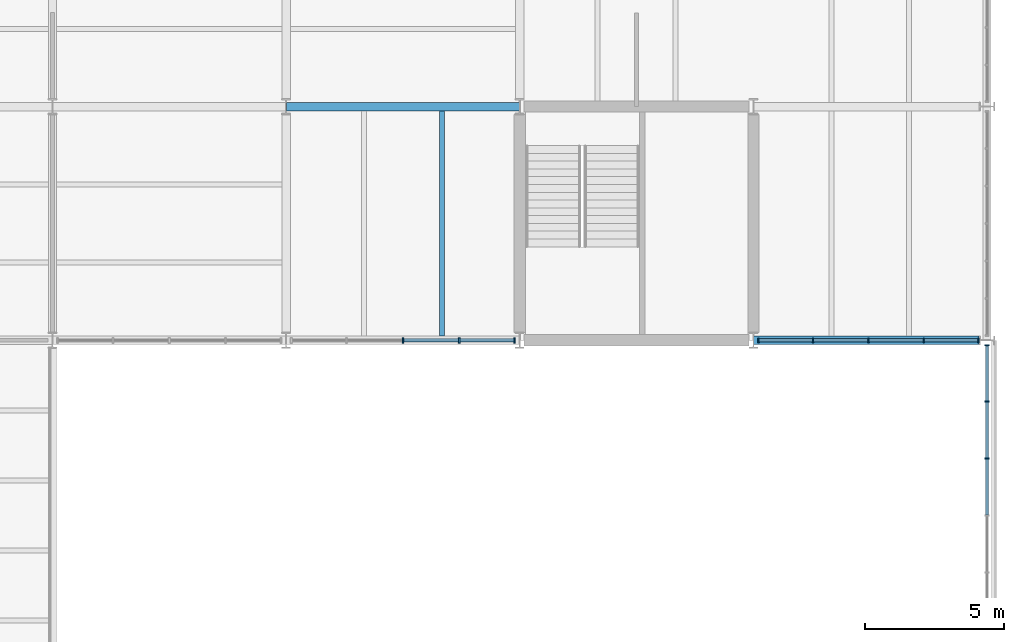
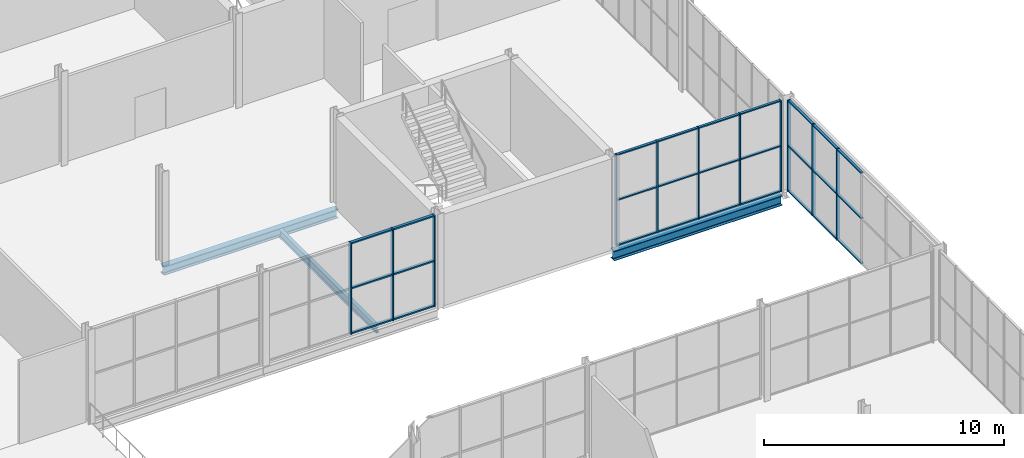
# One storey, part 27 of 61: 38 members, 3 beams, 3 elements without a shape of their own.
"""IFC4 building model written with IfcOpenShell, lengths in metres."""

from ifc_helpers import new_model, si_unit, direction, frame, origin, origin_2d, place, context, subcontext, project, spatial, rectangle, i_section, extrude, material, layer, layer_set, material_profile, profile_set, type_object, element, aggregate, save


model = new_model("IFC4")

# Units and contexts
model_context = context("Model", 3, precision=1e-05, world=origin(), true_north=direction((0.0, 1.0)))
body_context = subcontext(model_context, "Body", "Model", "MODEL_VIEW")
ifc_project = project(units=[si_unit("LENGTHUNIT", "METRE"), si_unit("AREAUNIT", "SQUARE_METRE"), si_unit("VOLUMEUNIT", "CUBIC_METRE"), si_unit("PLANEANGLEUNIT", "RADIAN"), si_unit("MASSUNIT", "GRAM", prefix="KILO")], contexts=[model_context])

# Site, building, storey
site_placement = place(None, origin())
site = spatial("IfcSite", under=ifc_project, at=site_placement, CompositionType="ELEMENT")
building_placement = place(site_placement, origin())
building = spatial("IfcBuilding", under=site, at=building_placement, Name="Galleria Vessillo Department Store", CompositionType="ELEMENT")
storey_placement = place(building_placement, frame((0.0, 0.0, 11.39990234375)))
storey = spatial("IfcBuildingStorey", under=building, at=storey_placement, Name="L02", CompositionType="ELEMENT", Elevation=11.39990234375)

# Curtain wall, members
ifc_material_1 = material(Name="Aluminium and glass curtain wall", Category="aluminium")
ifc_layer_1 = layer(ifc_material_1, 0.159912109375)
ifc_layer_set_1 = layer_set([ifc_layer_1], Name="Aluminium and glass curtain wall")
curtain_wall_type_1 = type_object("IfcCurtainWallType", Name="Arcade portal glazing CW2 2100 module", PredefinedType="NOTDEFINED", material=ifc_layer_set_1)
curtain_wall_1_placement = place(storey_placement, origin())
curtain_wall_1 = element("IfcCurtainWall", 1, at=curtain_wall_1_placement, inside=storey, type_object=curtain_wall_type_1, Name="Arcade portal glazing CW2 2100 module PW-E-N-L02-01", PredefinedType="NOTDEFINED")
ifc_material_2 = material(Name="Aluminium alloy 6063 T6", Category="aluminium")
ifc_material_profile_1 = material_profile(ifc_material_2, rectangle(XDim=0.159912109375, YDim=0.050048828125, at=origin_2d()), Name="AL 50x160")
ifc_profile_set_1 = profile_set([ifc_material_profile_1], Name="Aluminium alloy 6063 T6")
member_type_1 = type_object("IfcMemberType", Name="Aluminium mullion 50 x 160", PredefinedType="MULLION", material=ifc_profile_set_1)
member_1_placement = place(storey_placement, frame((109.3779296875, 37.800048828125, 0.0), z_axis=(0.0, 0.0, 1.0), x_axis=(0.0, 1.0, 0.0)))
member_1 = element("IfcMember", 2, at=member_1_placement, type_object=member_type_1, Name="CW2 mullion 1", PredefinedType="MULLION", context=body_context, shape_type="SweptSolid", body=[
    extrude(rectangle(XDim=0.159912109375, YDim=0.050048828125, at=origin_2d()), origin(), (0.0, 0.0, 1.0), 4.650146484375),
])
member_2_placement = place(storey_placement, frame((111.34326171875, 37.800048828125, 0.0), z_axis=(0.0, 0.0, 1.0), x_axis=(0.0, 1.0, 0.0)))
member_2 = element("IfcMember", 3, at=member_2_placement, type_object=member_type_1, Name="CW2 mullion 2", PredefinedType="MULLION", context=body_context, shape_type="SweptSolid", body=[
    extrude(rectangle(XDim=0.159912109375, YDim=0.050048828125, at=origin_2d()), origin(), (0.0, 0.0, 1.0), 4.650146484375),
])
member_3_placement = place(storey_placement, frame((113.33349609375, 37.800048828125, 0.0), z_axis=(0.0, 0.0, 1.0), x_axis=(0.0, 1.0, 0.0)))
member_3 = element("IfcMember", 4, at=member_3_placement, type_object=member_type_1, Name="CW2 mullion 3", PredefinedType="MULLION", context=body_context, shape_type="SweptSolid", body=[
    extrude(rectangle(XDim=0.159912109375, YDim=0.050048828125, at=origin_2d()), origin(), (0.0, 0.0, 1.0), 4.650146484375),
])
member_4_placement = place(storey_placement, frame((115.323974609375, 37.800048828125, 0.0), z_axis=(0.0, 0.0, 1.0), x_axis=(0.0, 1.0, 0.0)))
member_4 = element("IfcMember", 5, at=member_4_placement, type_object=member_type_1, Name="CW2 mullion 4", PredefinedType="MULLION", context=body_context, shape_type="SweptSolid", body=[
    extrude(rectangle(XDim=0.159912109375, YDim=0.050048828125, at=origin_2d()), origin(), (0.0, 0.0, 1.0), 4.650146484375),
])
member_5_placement = place(storey_placement, frame((117.289306640625, 37.800048828125, 0.0), z_axis=(0.0, 0.0, 1.0), x_axis=(0.0, 1.0, 0.0)))
member_5 = element("IfcMember", 6, at=member_5_placement, type_object=member_type_1, Name="CW2 mullion 5", PredefinedType="MULLION", context=body_context, shape_type="SweptSolid", body=[
    extrude(rectangle(XDim=0.159912109375, YDim=0.050048828125, at=origin_2d()), origin(), (0.0, 0.0, 1.0), 4.650146484375),
])

curtain_wall_2_placement = place(storey_placement, origin())
curtain_wall_2 = element("IfcCurtainWall", 7, at=curtain_wall_2_placement, inside=storey, type_object=curtain_wall_type_1, Name="Arcade portal glazing CW2 2100 module SCR-E-L02-01", PredefinedType="NOTDEFINED")
member_6_placement = place(storey_placement, frame((117.60009765625, 33.548828125, 0.0), z_axis=(0.0, 0.0, 1.0), x_axis=(-1.0, 0.0, 0.0)))
member_6 = element("IfcMember", 8, at=member_6_placement, type_object=member_type_1, Name="CW2 mullion 5", PredefinedType="MULLION", context=body_context, shape_type="SweptSolid", body=[
    extrude(rectangle(XDim=0.159912109375, YDim=0.050048828125, at=origin_2d()), origin(), (0.0, 0.0, 1.0), 4.650146484375),
])
member_7_placement = place(storey_placement, frame((117.60009765625, 35.597900390625, 0.0), z_axis=(0.0, 0.0, 1.0), x_axis=(-1.0, 0.0, 0.0)))
member_7 = element("IfcMember", 9, at=member_7_placement, type_object=member_type_1, Name="CW2 mullion 6", PredefinedType="MULLION", context=body_context, shape_type="SweptSolid", body=[
    extrude(rectangle(XDim=0.159912109375, YDim=0.050048828125, at=origin_2d()), origin(), (0.0, 0.0, 1.0), 4.650146484375),
])
member_8_placement = place(storey_placement, frame((117.60009765625, 37.6220703125, 0.0), z_axis=(0.0, 0.0, 1.0), x_axis=(-1.0, 0.0, 0.0)))
member_8 = element("IfcMember", 10, at=member_8_placement, type_object=member_type_1, Name="CW2 mullion 7", PredefinedType="MULLION", context=body_context, shape_type="SweptSolid", body=[
    extrude(rectangle(XDim=0.159912109375, YDim=0.050048828125, at=origin_2d()), origin(), (0.0, 0.0, 1.0), 4.650146484375),
])

ifc_material_3 = material(Name="Aluminium and glass curtain wall", Category="aluminium")
ifc_layer_2 = layer(ifc_material_3, 0.199951171875)
ifc_layer_set_2 = layer_set([ifc_layer_2], Name="Aluminium and glass curtain wall")
curtain_wall_type_2 = type_object("IfcCurtainWallType", Name="Arcade curtain wall CW1 2100 module", PredefinedType="NOTDEFINED", material=ifc_layer_set_2)
curtain_wall_3_placement = place(storey_placement, origin())
curtain_wall_3 = element("IfcCurtainWall", 11, at=curtain_wall_3_placement, inside=storey, type_object=curtain_wall_type_2, Name="Arcade curtain wall CW1 2100 module AI-AE-N-L02-02", PredefinedType="NOTDEFINED")
ifc_material_4 = material(Name="Aluminium alloy 6063 T6", Category="aluminium")
ifc_material_profile_2 = material_profile(ifc_material_4, rectangle(XDim=0.199951171875, YDim=0.06005859375, at=origin_2d()), Name="AL 60x200")
ifc_profile_set_2 = profile_set([ifc_material_profile_2], Name="Aluminium alloy 6063 T6")
member_type_2 = type_object("IfcMemberType", Name="Aluminium mullion 60 x 200", PredefinedType="MULLION", material=ifc_profile_set_2)
member_9_placement = place(storey_placement, frame((96.60009765625, 37.800048828125, 0.0), z_axis=(0.0, 0.0, 1.0), x_axis=(0.0, 1.0, 0.0)))
member_9 = element("IfcMember", 12, at=member_9_placement, type_object=member_type_2, Name="CW1 mullion 3", PredefinedType="MULLION", context=body_context, shape_type="SweptSolid", body=[
    extrude(rectangle(XDim=0.199951171875, YDim=0.06005859375, at=origin_2d()), origin(), (0.0, 0.0, 1.0), 4.650146484375),
])
member_10_placement = place(storey_placement, frame((98.62353515625, 37.800048828125, 0.0), z_axis=(0.0, 0.0, 1.0), x_axis=(0.0, 1.0, 0.0)))
member_10 = element("IfcMember", 13, at=member_10_placement, type_object=member_type_2, Name="CW1 mullion 4", PredefinedType="MULLION", context=body_context, shape_type="SweptSolid", body=[
    extrude(rectangle(XDim=0.199951171875, YDim=0.06005859375, at=origin_2d()), origin(), (0.0, 0.0, 1.0), 4.650146484375),
])
member_11_placement = place(storey_placement, frame((100.616943359375, 37.800048828125, 0.0), z_axis=(0.0, 0.0, 1.0), x_axis=(0.0, 1.0, 0.0)))
member_11 = element("IfcMember", 14, at=member_11_placement, type_object=member_type_2, Name="CW1 mullion 5", PredefinedType="MULLION", context=body_context, shape_type="SweptSolid", body=[
    extrude(rectangle(XDim=0.199951171875, YDim=0.06005859375, at=origin_2d()), origin(), (0.0, 0.0, 1.0), 4.650146484375),
])

# Member
ifc_material_5 = material(Name="Aluminium alloy 6063 T6", Category="aluminium")
ifc_material_profile_3 = material_profile(ifc_material_5, rectangle(XDim=0.1201171875, YDim=0.06005859375, at=origin_2d()), Name="AL 60x120")
ifc_profile_set_3 = profile_set([ifc_material_profile_3], Name="Aluminium alloy 6063 T6")
member_type_3 = type_object("IfcMemberType", Name="Aluminium transom 60 x 120", PredefinedType="USERDEFINED", material=ifc_profile_set_3)
member_12_placement = place(storey_placement, frame((109.403076171875, 37.800048828125, 0.030029296875), z_axis=(1.0, 0.0, 0.0), x_axis=(0.0, 1.0, 0.0)))
member_12 = element("IfcMember", 15, at=member_12_placement, type_object=member_type_3, Name="CW2 transom 1.1", ObjectType="TRANSOM", PredefinedType="USERDEFINED", context=body_context, shape_type="SweptSolid", body=[
    extrude(rectangle(XDim=0.1201171875, YDim=0.06005859375, at=origin_2d()), origin(), (0.0, 0.0, 1.0), 1.915283203125),
])

member_13_placement = place(storey_placement, frame((109.403076171875, 37.800048828125, 2.3251953125), z_axis=(1.0, 0.0, 0.0), x_axis=(0.0, 1.0, 0.0)))
member_13 = element("IfcMember", 16, at=member_13_placement, type_object=member_type_3, Name="CW2 transom 1.2", ObjectType="TRANSOM", PredefinedType="USERDEFINED", context=body_context, shape_type="SweptSolid", body=[
    extrude(rectangle(XDim=0.1201171875, YDim=0.06005859375, at=origin_2d()), origin(), (0.0, 0.0, 1.0), 1.915283203125),
])

member_14_placement = place(storey_placement, frame((109.403076171875, 37.800048828125, 4.6201171875), z_axis=(1.0, 0.0, 0.0), x_axis=(0.0, 1.0, 0.0)))
member_14 = element("IfcMember", 17, at=member_14_placement, type_object=member_type_3, Name="CW2 transom 1.3", ObjectType="TRANSOM", PredefinedType="USERDEFINED", context=body_context, shape_type="SweptSolid", body=[
    extrude(rectangle(XDim=0.1201171875, YDim=0.06005859375, at=origin_2d()), origin(), (0.0, 0.0, 1.0), 1.915283203125),
])

member_15_placement = place(storey_placement, frame((111.368408203125, 37.800048828125, 0.030029296875), z_axis=(1.0, 0.0, 0.0), x_axis=(0.0, 1.0, 0.0)))
member_15 = element("IfcMember", 18, at=member_15_placement, type_object=member_type_3, Name="CW2 transom 2.1", ObjectType="TRANSOM", PredefinedType="USERDEFINED", context=body_context, shape_type="SweptSolid", body=[
    extrude(rectangle(XDim=0.1201171875, YDim=0.06005859375, at=origin_2d()), origin(), (0.0, 0.0, 1.0), 1.940185546875),
])

member_16_placement = place(storey_placement, frame((111.368408203125, 37.800048828125, 2.3251953125), z_axis=(1.0, 0.0, 0.0), x_axis=(0.0, 1.0, 0.0)))
member_16 = element("IfcMember", 19, at=member_16_placement, type_object=member_type_3, Name="CW2 transom 2.2", ObjectType="TRANSOM", PredefinedType="USERDEFINED", context=body_context, shape_type="SweptSolid", body=[
    extrude(rectangle(XDim=0.1201171875, YDim=0.06005859375, at=origin_2d()), origin(), (0.0, 0.0, 1.0), 1.940185546875),
])

member_17_placement = place(storey_placement, frame((111.368408203125, 37.800048828125, 4.6201171875), z_axis=(1.0, 0.0, 0.0), x_axis=(0.0, 1.0, 0.0)))
member_17 = element("IfcMember", 20, at=member_17_placement, type_object=member_type_3, Name="CW2 transom 2.3", ObjectType="TRANSOM", PredefinedType="USERDEFINED", context=body_context, shape_type="SweptSolid", body=[
    extrude(rectangle(XDim=0.1201171875, YDim=0.06005859375, at=origin_2d()), origin(), (0.0, 0.0, 1.0), 1.940185546875),
])

member_18_placement = place(storey_placement, frame((113.358642578125, 37.800048828125, 0.030029296875), z_axis=(1.0, 0.0, 0.0), x_axis=(0.0, 1.0, 0.0)))
member_18 = element("IfcMember", 21, at=member_18_placement, type_object=member_type_3, Name="CW2 transom 3.1", ObjectType="TRANSOM", PredefinedType="USERDEFINED", context=body_context, shape_type="SweptSolid", body=[
    extrude(rectangle(XDim=0.1201171875, YDim=0.06005859375, at=origin_2d()), origin(), (0.0, 0.0, 1.0), 1.940185546875),
])

member_19_placement = place(storey_placement, frame((113.358642578125, 37.800048828125, 2.3251953125), z_axis=(1.0, 0.0, 0.0), x_axis=(0.0, 1.0, 0.0)))
member_19 = element("IfcMember", 22, at=member_19_placement, type_object=member_type_3, Name="CW2 transom 3.2", ObjectType="TRANSOM", PredefinedType="USERDEFINED", context=body_context, shape_type="SweptSolid", body=[
    extrude(rectangle(XDim=0.1201171875, YDim=0.06005859375, at=origin_2d()), origin(), (0.0, 0.0, 1.0), 1.940185546875),
])

member_20_placement = place(storey_placement, frame((113.358642578125, 37.800048828125, 4.6201171875), z_axis=(1.0, 0.0, 0.0), x_axis=(0.0, 1.0, 0.0)))
member_20 = element("IfcMember", 23, at=member_20_placement, type_object=member_type_3, Name="CW2 transom 3.3", ObjectType="TRANSOM", PredefinedType="USERDEFINED", context=body_context, shape_type="SweptSolid", body=[
    extrude(rectangle(XDim=0.1201171875, YDim=0.06005859375, at=origin_2d()), origin(), (0.0, 0.0, 1.0), 1.940185546875),
])

member_21_placement = place(storey_placement, frame((115.348876953125, 37.800048828125, 0.030029296875), z_axis=(1.0, 0.0, 0.0), x_axis=(0.0, 1.0, 0.0)))
member_21 = element("IfcMember", 24, at=member_21_placement, type_object=member_type_3, Name="CW2 transom 4.1", ObjectType="TRANSOM", PredefinedType="USERDEFINED", context=body_context, shape_type="SweptSolid", body=[
    extrude(rectangle(XDim=0.1201171875, YDim=0.06005859375, at=origin_2d()), origin(), (0.0, 0.0, 1.0), 1.915283203125),
])

member_22_placement = place(storey_placement, frame((115.348876953125, 37.800048828125, 2.3251953125), z_axis=(1.0, 0.0, 0.0), x_axis=(0.0, 1.0, 0.0)))
member_22 = element("IfcMember", 25, at=member_22_placement, type_object=member_type_3, Name="CW2 transom 4.2", ObjectType="TRANSOM", PredefinedType="USERDEFINED", context=body_context, shape_type="SweptSolid", body=[
    extrude(rectangle(XDim=0.1201171875, YDim=0.06005859375, at=origin_2d()), origin(), (0.0, 0.0, 1.0), 1.915283203125),
])

member_23_placement = place(storey_placement, frame((115.348876953125, 37.800048828125, 4.6201171875), z_axis=(1.0, 0.0, 0.0), x_axis=(0.0, 1.0, 0.0)))
member_23 = element("IfcMember", 26, at=member_23_placement, type_object=member_type_3, Name="CW2 transom 4.3", ObjectType="TRANSOM", PredefinedType="USERDEFINED", context=body_context, shape_type="SweptSolid", body=[
    extrude(rectangle(XDim=0.1201171875, YDim=0.06005859375, at=origin_2d()), origin(), (0.0, 0.0, 1.0), 1.915283203125),
])

aggregate(curtain_wall_1, [member_1, member_2, member_3, member_4, member_5, member_12, member_13, member_14, member_15, member_16, member_17, member_18, member_19, member_20, member_21, member_22, member_23])

member_24_placement = place(storey_placement, frame((117.60009765625, 31.524658203125, 0.030029296875), z_axis=(0.0, 1.0, 0.0), x_axis=(-1.0, 0.0, 0.0)))
member_24 = element("IfcMember", 27, at=member_24_placement, type_object=member_type_3, Name="CW2 transom 4.1", ObjectType="TRANSOM", PredefinedType="USERDEFINED", context=body_context, shape_type="SweptSolid", body=[
    extrude(rectangle(XDim=0.1201171875, YDim=0.06005859375, at=origin_2d()), origin(), (0.0, 0.0, 1.0), 1.999267578125),
])

member_25_placement = place(storey_placement, frame((117.60009765625, 31.524658203125, 2.3251953125), z_axis=(0.0, 1.0, 0.0), x_axis=(-1.0, 0.0, 0.0)))
member_25 = element("IfcMember", 28, at=member_25_placement, type_object=member_type_3, Name="CW2 transom 4.2", ObjectType="TRANSOM", PredefinedType="USERDEFINED", context=body_context, shape_type="SweptSolid", body=[
    extrude(rectangle(XDim=0.1201171875, YDim=0.06005859375, at=origin_2d()), origin(), (0.0, 0.0, 1.0), 1.999267578125),
])

member_26_placement = place(storey_placement, frame((117.60009765625, 31.524658203125, 4.6201171875), z_axis=(0.0, 1.0, 0.0), x_axis=(-1.0, 0.0, 0.0)))
member_26 = element("IfcMember", 29, at=member_26_placement, type_object=member_type_3, Name="CW2 transom 4.3", ObjectType="TRANSOM", PredefinedType="USERDEFINED", context=body_context, shape_type="SweptSolid", body=[
    extrude(rectangle(XDim=0.1201171875, YDim=0.06005859375, at=origin_2d()), origin(), (0.0, 0.0, 1.0), 1.999267578125),
])

member_27_placement = place(storey_placement, frame((117.60009765625, 33.57373046875, 0.030029296875), z_axis=(0.0, 1.0, 0.0), x_axis=(-1.0, 0.0, 0.0)))
member_27 = element("IfcMember", 30, at=member_27_placement, type_object=member_type_3, Name="CW2 transom 5.1", ObjectType="TRANSOM", PredefinedType="USERDEFINED", context=body_context, shape_type="SweptSolid", body=[
    extrude(rectangle(XDim=0.1201171875, YDim=0.06005859375, at=origin_2d()), origin(), (0.0, 0.0, 1.0), 1.999267578125),
])

member_28_placement = place(storey_placement, frame((117.60009765625, 33.57373046875, 2.3251953125), z_axis=(0.0, 1.0, 0.0), x_axis=(-1.0, 0.0, 0.0)))
member_28 = element("IfcMember", 31, at=member_28_placement, type_object=member_type_3, Name="CW2 transom 5.2", ObjectType="TRANSOM", PredefinedType="USERDEFINED", context=body_context, shape_type="SweptSolid", body=[
    extrude(rectangle(XDim=0.1201171875, YDim=0.06005859375, at=origin_2d()), origin(), (0.0, 0.0, 1.0), 1.999267578125),
])

member_29_placement = place(storey_placement, frame((117.60009765625, 33.57373046875, 4.6201171875), z_axis=(0.0, 1.0, 0.0), x_axis=(-1.0, 0.0, 0.0)))
member_29 = element("IfcMember", 32, at=member_29_placement, type_object=member_type_3, Name="CW2 transom 5.3", ObjectType="TRANSOM", PredefinedType="USERDEFINED", context=body_context, shape_type="SweptSolid", body=[
    extrude(rectangle(XDim=0.1201171875, YDim=0.06005859375, at=origin_2d()), origin(), (0.0, 0.0, 1.0), 1.999267578125),
])

member_30_placement = place(storey_placement, frame((117.60009765625, 35.622802734375, 0.030029296875), z_axis=(0.0, 1.0, 0.0), x_axis=(-1.0, 0.0, 0.0)))
member_30 = element("IfcMember", 33, at=member_30_placement, type_object=member_type_3, Name="CW2 transom 6.1", ObjectType="TRANSOM", PredefinedType="USERDEFINED", context=body_context, shape_type="SweptSolid", body=[
    extrude(rectangle(XDim=0.1201171875, YDim=0.06005859375, at=origin_2d()), origin(), (0.0, 0.0, 1.0), 1.97412109375),
])

member_31_placement = place(storey_placement, frame((117.60009765625, 35.622802734375, 2.3251953125), z_axis=(0.0, 1.0, 0.0), x_axis=(-1.0, 0.0, 0.0)))
member_31 = element("IfcMember", 34, at=member_31_placement, type_object=member_type_3, Name="CW2 transom 6.2", ObjectType="TRANSOM", PredefinedType="USERDEFINED", context=body_context, shape_type="SweptSolid", body=[
    extrude(rectangle(XDim=0.1201171875, YDim=0.06005859375, at=origin_2d()), origin(), (0.0, 0.0, 1.0), 1.97412109375),
])

member_32_placement = place(storey_placement, frame((117.60009765625, 35.622802734375, 4.6201171875), z_axis=(0.0, 1.0, 0.0), x_axis=(-1.0, 0.0, 0.0)))
member_32 = element("IfcMember", 35, at=member_32_placement, type_object=member_type_3, Name="CW2 transom 6.3", ObjectType="TRANSOM", PredefinedType="USERDEFINED", context=body_context, shape_type="SweptSolid", body=[
    extrude(rectangle(XDim=0.1201171875, YDim=0.06005859375, at=origin_2d()), origin(), (0.0, 0.0, 1.0), 1.97412109375),
])

aggregate(curtain_wall_2, [member_6, member_7, member_8, member_24, member_25, member_26, member_27, member_28, member_29, member_30, member_31, member_32])

ifc_material_6 = material(Name="Aluminium alloy 6063 T6", Category="aluminium")
ifc_material_profile_4 = material_profile(ifc_material_6, rectangle(XDim=0.139892578125, YDim=0.070068359375, at=origin_2d()), Name="AL 70x140")
ifc_profile_set_4 = profile_set([ifc_material_profile_4], Name="Aluminium alloy 6063 T6")
member_type_4 = type_object("IfcMemberType", Name="Aluminium transom 70 x 140", PredefinedType="USERDEFINED", material=ifc_profile_set_4)
member_33_placement = place(storey_placement, frame((96.6298828125, 37.800048828125, 0.034912109375), z_axis=(1.0, 0.0, 0.0), x_axis=(0.0, 1.0, 0.0)))
member_33 = element("IfcMember", 36, at=member_33_placement, type_object=member_type_4, Name="CW1 transom 3.1", ObjectType="TRANSOM", PredefinedType="USERDEFINED", context=body_context, shape_type="SweptSolid", body=[
    extrude(rectangle(XDim=0.139892578125, YDim=0.070068359375, at=origin_2d()), origin(), (0.0, 0.0, 1.0), 1.963623046875),
])

member_34_placement = place(storey_placement, frame((96.6298828125, 37.800048828125, 2.3251953125), z_axis=(1.0, 0.0, 0.0), x_axis=(0.0, 1.0, 0.0)))
member_34 = element("IfcMember", 37, at=member_34_placement, type_object=member_type_4, Name="CW1 transom 3.2", ObjectType="TRANSOM", PredefinedType="USERDEFINED", context=body_context, shape_type="SweptSolid", body=[
    extrude(rectangle(XDim=0.139892578125, YDim=0.070068359375, at=origin_2d()), origin(), (0.0, 0.0, 1.0), 1.963623046875),
])

member_35_placement = place(storey_placement, frame((96.6298828125, 37.800048828125, 4.615234375), z_axis=(1.0, 0.0, 0.0), x_axis=(0.0, 1.0, 0.0)))
member_35 = element("IfcMember", 38, at=member_35_placement, type_object=member_type_4, Name="CW1 transom 3.3", ObjectType="TRANSOM", PredefinedType="USERDEFINED", context=body_context, shape_type="SweptSolid", body=[
    extrude(rectangle(XDim=0.139892578125, YDim=0.070068359375, at=origin_2d()), origin(), (0.0, 0.0, 1.0), 1.963623046875),
])

member_36_placement = place(storey_placement, frame((98.653564453125, 37.800048828125, 0.034912109375), z_axis=(1.0, 0.0, 0.0), x_axis=(0.0, 1.0, 0.0)))
member_36 = element("IfcMember", 39, at=member_36_placement, type_object=member_type_4, Name="CW1 transom 4.1", ObjectType="TRANSOM", PredefinedType="USERDEFINED", context=body_context, shape_type="SweptSolid", body=[
    extrude(rectangle(XDim=0.139892578125, YDim=0.070068359375, at=origin_2d()), origin(), (0.0, 0.0, 1.0), 1.933349609375),
])

member_37_placement = place(storey_placement, frame((98.653564453125, 37.800048828125, 2.3251953125), z_axis=(1.0, 0.0, 0.0), x_axis=(0.0, 1.0, 0.0)))
member_37 = element("IfcMember", 40, at=member_37_placement, type_object=member_type_4, Name="CW1 transom 4.2", ObjectType="TRANSOM", PredefinedType="USERDEFINED", context=body_context, shape_type="SweptSolid", body=[
    extrude(rectangle(XDim=0.139892578125, YDim=0.070068359375, at=origin_2d()), origin(), (0.0, 0.0, 1.0), 1.933349609375),
])

member_38_placement = place(storey_placement, frame((98.653564453125, 37.800048828125, 4.615234375), z_axis=(1.0, 0.0, 0.0), x_axis=(0.0, 1.0, 0.0)))
member_38 = element("IfcMember", 41, at=member_38_placement, type_object=member_type_4, Name="CW1 transom 4.3", ObjectType="TRANSOM", PredefinedType="USERDEFINED", context=body_context, shape_type="SweptSolid", body=[
    extrude(rectangle(XDim=0.139892578125, YDim=0.070068359375, at=origin_2d()), origin(), (0.0, 0.0, 1.0), 1.933349609375),
])

aggregate(curtain_wall_3, [member_9, member_10, member_11, member_33, member_34, member_35, member_36, member_37, member_38])

# Beams
ifc_material_7 = material(Name="Steel S355 J2", Category="steel")
ifc_material_profile_5 = material_profile(ifc_material_7, i_section(OverallWidth=0.300048828125, OverallDepth=0.43994140625, WebThickness=0.011474609375, FlangeThickness=0.02099609375, FilletRadius=0.027099609375, at=origin_2d()), Name="HEA 450")
ifc_profile_set_5 = profile_set([ifc_material_profile_5], Name="Steel S355 J2")
beam_type_1 = type_object("IfcBeamType", Name="Floor girder HEA 450", PredefinedType="BEAM", material=ifc_profile_set_5)
beam_1_placement = place(storey_placement, frame((92.41064453125, 46.199951171875, -0.369873046875), z_axis=(1.0, 0.0, 0.0), x_axis=(0.0, 1.0, 0.0)))
element("IfcBeam", 42, at=beam_1_placement, inside=storey, type_object=beam_type_1, Name="S-BM-L02-GI-x46200-92411", PredefinedType="BEAM", context=body_context, shape_type="SweptSolid", body=[
    extrude(i_section(OverallWidth=0.300048828125, OverallDepth=0.43994140625, WebThickness=0.011474609375, FlangeThickness=0.02099609375, FilletRadius=0.027099609375, at=origin_2d()), origin(), (0.0, 0.0, 1.0), 8.378662109375),
])
ifc_material_8 = material(Name="Steel S355 J2", Category="steel")
ifc_material_profile_6 = material_profile(ifc_material_8, i_section(OverallWidth=0.179931640625, OverallDepth=0.39990234375, WebThickness=0.008544921875, FlangeThickness=0.013427734375, FilletRadius=0.02099609375, at=origin_2d()), Name="IPE 400")
ifc_profile_set_6 = profile_set([ifc_material_profile_6], Name="Steel S355 J2")
beam_type_2 = type_object("IfcBeamType", Name="Floor joist IPE 400", PredefinedType="JOIST", material=ifc_profile_set_6)
beam_2_placement = place(storey_placement, frame((98.0, 37.9501953125, -0.349853515625), z_axis=(0.0, 1.0, 0.0), x_axis=(-1.0, 0.0, 0.0)))
element("IfcBeam", 43, at=beam_2_placement, inside=storey, type_object=beam_type_2, Name="S-BM-L02-JO-y98000-37950", PredefinedType="JOIST", context=body_context, shape_type="SweptSolid", body=[
    extrude(i_section(OverallWidth=0.179931640625, OverallDepth=0.39990234375, WebThickness=0.008544921875, FlangeThickness=0.013427734375, FilletRadius=0.02099609375, at=origin_2d()), origin(), (0.0, 0.0, 1.0), 8.099609375),
])
ifc_material_9 = material(Name="Steel S355 J2", Category="steel")
ifc_material_profile_7 = material_profile(ifc_material_9, i_section(OverallWidth=0.300048828125, OverallDepth=0.489990234375, WebThickness=0.011962890625, FlangeThickness=0.02294921875, FilletRadius=0.027099609375, at=origin_2d()), Name="HEA 500")
ifc_profile_set_7 = profile_set([ifc_material_profile_7], Name="Steel S355 J2")
beam_type_3 = type_object("IfcBeamType", Name="Trimmer beam HEA 500", PredefinedType="BEAM", material=ifc_profile_set_7)
beam_3_placement = place(storey_placement, frame((109.210693359375, 37.800048828125, -0.39501953125), z_axis=(1.0, 0.0, 0.0), x_axis=(0.0, 1.0, 0.0)))
element("IfcBeam", 44, at=beam_3_placement, inside=storey, type_object=beam_type_3, Name="S-BM-L02-TR-x37800-109211", PredefinedType="BEAM", context=body_context, shape_type="SweptSolid", body=[
    extrude(i_section(OverallWidth=0.300048828125, OverallDepth=0.489990234375, WebThickness=0.011962890625, FlangeThickness=0.02294921875, FilletRadius=0.027099609375, at=origin_2d()), origin(), (0.0, 0.0, 1.0), 8.103271484375),
])

save(model, "model.ifc")
